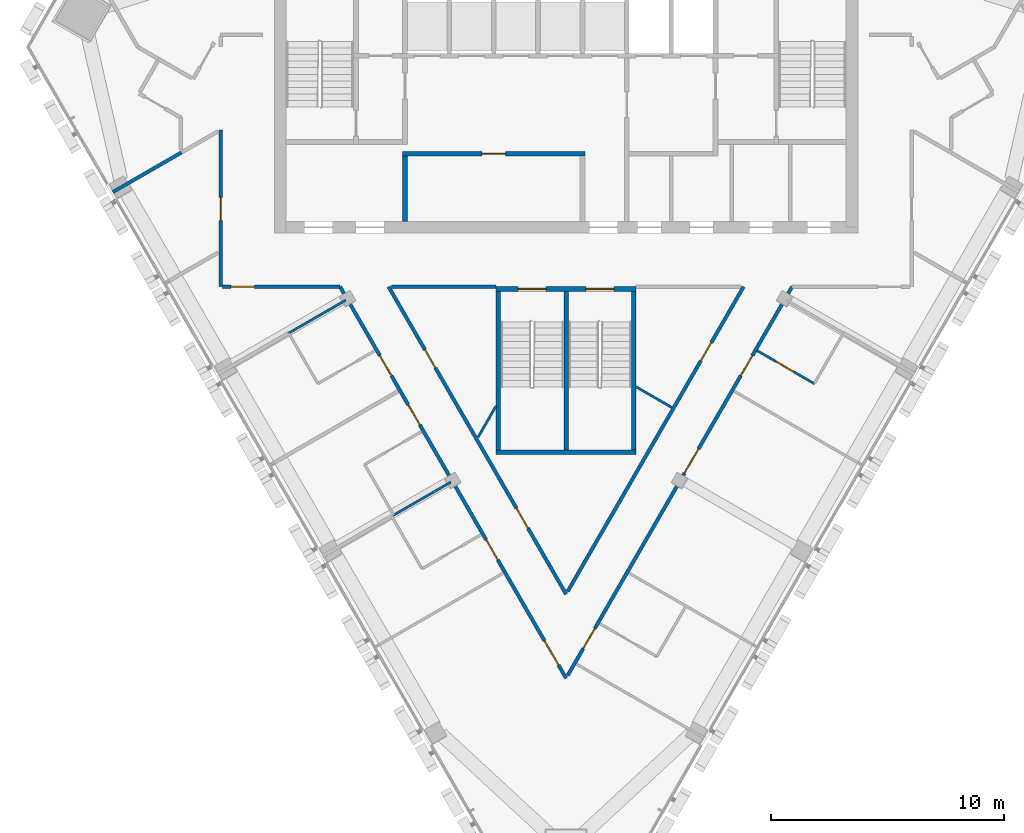
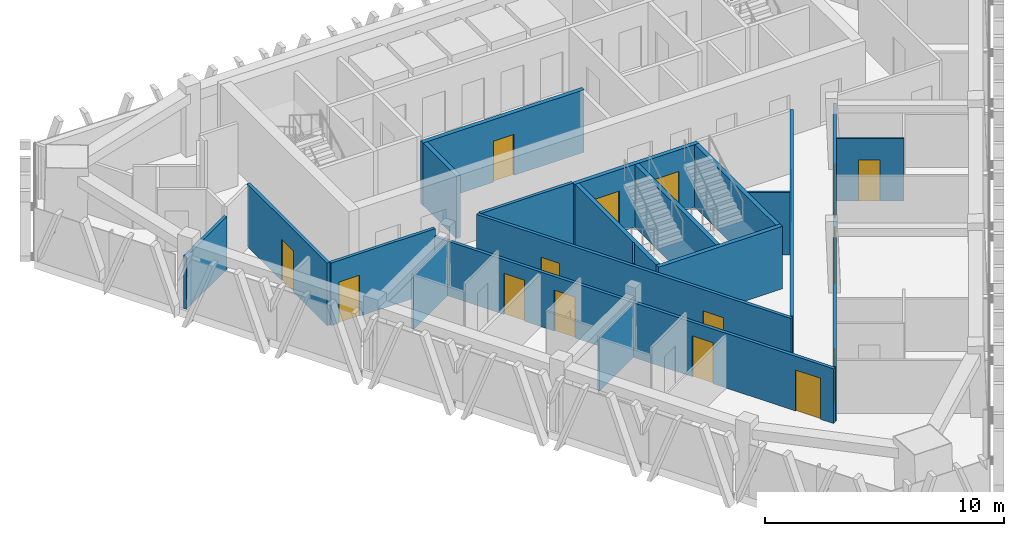
# One storey, part 8 of 14: 20 walls, 16 doors, 16 openings.
"""IFC4 building model written with IfcOpenShell, lengths in metres."""

from ifc_helpers import new_model, si_unit, direction, frame, frame_2d, origin, place, context, subcontext, project, spatial, rectangle, extrude, material, layer, layer_set, type_object, element, fill, save


model = new_model("IFC4")

# Units and contexts
model_context = context("Model", 3, precision=1e-05, world=origin(), true_north=direction((0.0, 1.0)))
body_context = subcontext(model_context, "Body", "Model", "MODEL_VIEW")
ifc_project = project(units=[si_unit("LENGTHUNIT", "METRE"), si_unit("AREAUNIT", "SQUARE_METRE"), si_unit("VOLUMEUNIT", "CUBIC_METRE"), si_unit("PLANEANGLEUNIT", "RADIAN"), si_unit("MASSUNIT", "GRAM", prefix="KILO")], contexts=[model_context])

# Site, building, storey
site_placement = place(None, origin())
site = spatial("IfcSite", under=ifc_project, at=site_placement, CompositionType="ELEMENT")
building_placement = place(site_placement, origin())
building = spatial("IfcBuilding", under=site, at=building_placement, Name="Altiplano Prism Tower", CompositionType="ELEMENT")
storey_placement = place(building_placement, frame((0.0, 0.0, 271.60009765625)))
storey = spatial("IfcBuildingStorey", under=building, at=storey_placement, Name="L70", CompositionType="ELEMENT", Elevation=271.60009765625)

# Wall, opening, door
ifc_material_1 = material(Name="Plasterboard on steel stud", Category="steel")
ifc_layer_1 = layer(ifc_material_1, 0.10009765625)
ifc_layer_set_1 = layer_set([ifc_layer_1], Name="Plasterboard on steel stud")
wall_type_1 = type_object("IfcWallType", Name="Partition 100 unit", PredefinedType="PARTITIONING", material=ifc_layer_set_1)
wall_1_placement = place(storey_placement, frame((95.634033203125, 86.445556640625, 0.0), z_axis=(0.0, 0.0, 1.0), x_axis=(-0.866048868473, 0.499959355765, 0.0)))
wall_1 = element("IfcWall", 1, at=wall_1_placement, inside=storey, type_object=wall_type_1, Name="Partition P02 L70 052", PredefinedType="PARTITIONING", context=body_context, shape_type="SweptSolid", body=[
    extrude(rectangle(XDim=2.824951171875, YDim=0.10009765625, at=frame_2d((1.41259765625, 0.0))), origin(), (0.0, 0.0, 1.0), 3.199951171875),
])
opening_1_placement = place(wall_1_placement, frame((1.0, 0.0, 0.0)))
opening_1 = element("IfcOpeningElement", 2, at=opening_1_placement, cuts=wall_1, Name="Opening D2221", PredefinedType="OPENING", context=body_context, shape_type="SweptSolid", body=[
    extrude(rectangle(XDim=0.89990234375, YDim=2.10009765625, at=frame_2d((0.449951171875, 1.050048828125))), frame((0.0, 0.060546875, 0.0), z_axis=(0.0, -1.0, 0.0), x_axis=(1.0, 0.0, 0.0)), (0.0, 0.0, 1.0), 0.12109375),
])
ifc_material_2 = material(Name="Timber", Category="wood")
door_type_1 = type_object("IfcDoorType", Name="Ensuite door 900 x 2100", OperationType="NOTDEFINED", PredefinedType="NOTDEFINED", material=ifc_material_2)
door_1_placement = place(opening_1_placement, origin())
door_1 = element("IfcDoor", 3, at=door_1_placement, inside=storey, type_object=door_type_1, Name="Door D2221", OperationType="SINGLE_SWING_RIGHT", OverallHeight=2.10009765625, OverallWidth=0.89990234375, PredefinedType="NOTDEFINED", context=body_context, shape_type="SweptSolid", body=[
    extrude(rectangle(XDim=0.89990234375, YDim=2.10009765625, at=frame_2d((0.449951171875, 1.050048828125))), frame((0.0, 0.02490234375, 0.0), z_axis=(0.0, -1.0, 0.0), x_axis=(1.0, 0.0, 0.0)), (0.0, 0.0, 1.0), 0.050048828125),
])
fill(opening_1, door_1)

# Walls
ifc_layer_2 = layer(ifc_material_1, 0.10009765625)
ifc_layer_set_2 = layer_set([ifc_layer_2], Name="Plasterboard on steel stud")
wall_type_2 = type_object("IfcWallType", Name="Partition 100 wet", PredefinedType="PARTITIONING", material=ifc_layer_set_2)
wall_2_placement = place(storey_placement, frame((88.0, 86.308837890625, 0.0), z_axis=(0.0, 0.0, 1.0), x_axis=(0.866059102185, -0.499941628115, 0.0)))
element("IfcWall", 4, at=wall_2_placement, inside=storey, type_object=wall_type_2, Name="Partition P03 L70 027", PredefinedType="PARTITIONING", context=body_context, shape_type="SweptSolid", body=[
    extrude(rectangle(XDim=1.767822265625, YDim=0.10009765625, at=frame_2d((0.8837890625, 0.0))), origin(), (0.0, 0.0, 1.0), 3.199951171875),
])
wall_3_placement = place(storey_placement, frame((81.23046875, 84.15576171875, 0.0), z_axis=(0.0, 0.0, 1.0), x_axis=(0.500029135357, 0.866008581825, 0.0)))
element("IfcWall", 5, at=wall_3_placement, inside=storey, type_object=wall_type_2, Name="Partition P03 L70 028", PredefinedType="PARTITIONING", context=body_context, shape_type="SweptSolid", body=[
    extrude(rectangle(XDim=1.5390625, YDim=0.10009765625, at=frame_2d((0.76953125, 0.0))), origin(), (0.0, 0.0, 1.0), 3.199951171875),
])
wall_4_placement = place(storey_placement, frame((73.115966796875, 88.610595703125, 0.0), z_axis=(0.0, 0.0, 1.0), x_axis=(0.866048868473, 0.499959355765, 0.0)))
element("IfcWall", 6, at=wall_4_placement, inside=storey, type_object=wall_type_2, Name="Partition P03 L70 034", PredefinedType="PARTITIONING", context=body_context, shape_type="SweptSolid", body=[
    extrude(rectangle(XDim=2.824951171875, YDim=0.10009765625, at=frame_2d((1.41259765625, 0.0))), origin(), (0.0, 0.0, 1.0), 2.7998046875),
])
wall_5_placement = place(storey_placement, frame((77.5986328125, 80.806396484375, 0.0), z_axis=(0.0, 0.0, 1.0), x_axis=(0.866048401274, 0.499960165064, 0.0)))
element("IfcWall", 7, at=wall_5_placement, inside=storey, type_object=wall_type_2, Name="Partition P03 L70 042", PredefinedType="PARTITIONING", context=body_context, shape_type="SweptSolid", body=[
    extrude(rectangle(XDim=2.844970703125, YDim=0.10009765625, at=frame_2d((1.42236328125, 0.0))), origin(), (0.0, 0.0, 1.0), 2.7998046875),
])
ifc_layer_3 = layer(ifc_material_1, 0.14990234375)
ifc_layer_set_3 = layer_set([ifc_layer_3], Name="Plasterboard on steel stud")
wall_type_3 = type_object("IfcWallType", Name="Partition 150 corridor", PredefinedType="PARTITIONING", material=ifc_layer_set_3)
wall_6_placement = place(storey_placement, frame((77.5244140625, 90.599853515625, 0.0), z_axis=(0.0, 0.0, 1.0), x_axis=(0.99999998661, -0.000163648263, 0.0)))
element("IfcWall", 8, at=wall_6_placement, inside=storey, type_object=wall_type_3, Name="Partition P06 L70 002", PredefinedType="PARTITIONING", context=body_context, shape_type="SweptSolid", body=[
    extrude(rectangle(XDim=4.4755859375, YDim=0.14990234375, at=frame_2d((2.23779296875, 0.0))), origin(), (0.0, 0.0, 1.0), 3.199951171875),
])

# Wall, opening, door
wall_7_placement = place(storey_placement, frame((92.60546875, 90.60009765625, 0.0), z_axis=(0.0, 0.0, 1.0), x_axis=(-0.499993840102, -0.866028960174, 0.0)))
wall_7 = element("IfcWall", 9, at=wall_7_placement, inside=storey, type_object=wall_type_3, Name="Partition P06 L70 003", PredefinedType="PARTITIONING", context=body_context, shape_type="SweptSolid", body=[
    extrude(rectangle(XDim=15.081298828125, YDim=0.14990234375, at=frame_2d((7.54052734375, 0.0))), origin(), (0.0, 0.0, 1.0), 3.199951171875),
])
opening_2_placement = place(wall_7_placement, frame((2.76904296875, 0.0, 0.0)))
opening_2 = element("IfcOpeningElement", 10, at=opening_2_placement, cuts=wall_7, Name="Opening D2204", PredefinedType="OPENING", context=body_context, shape_type="SweptSolid", body=[
    extrude(rectangle(XDim=0.89990234375, YDim=2.10009765625, at=frame_2d((0.449951171875, 1.050048828125))), frame((0.0, 0.08544921875, 0.0), z_axis=(0.0, -1.0, 0.0), x_axis=(1.0, 0.0, 0.0)), (0.0, 0.0, 1.0), 0.1708984375),
])
door_type_2 = type_object("IfcDoorType", Name="Toilet door 900 x 2100", OperationType="NOTDEFINED", PredefinedType="NOTDEFINED", material=ifc_material_2)
door_2_placement = place(opening_2_placement, origin())
door_2 = element("IfcDoor", 11, at=door_2_placement, inside=storey, type_object=door_type_2, Name="Door D2204", OperationType="SINGLE_SWING_LEFT", OverallHeight=2.10009765625, OverallWidth=0.89990234375, PredefinedType="NOTDEFINED", context=body_context, shape_type="SweptSolid", body=[
    extrude(rectangle(XDim=0.89990234375, YDim=2.10009765625, at=frame_2d((0.449951171875, 1.050048828125))), frame((0.0, 0.02490234375, 0.0), z_axis=(0.0, -1.0, 0.0), x_axis=(1.0, 0.0, 0.0)), (0.0, 0.0, 1.0), 0.050048828125),
])
fill(opening_2, door_2)

# Wall, openings, doors
wall_8_placement = place(storey_placement, frame((85.0, 77.4267578125, 0.0), z_axis=(0.0, 0.0, 1.0), x_axis=(-0.499991985073, 0.866030031155, 0.0)))
wall_8 = element("IfcWall", 12, at=wall_8_placement, inside=storey, type_object=wall_type_3, Name="Partition P06 L70 004", PredefinedType="PARTITIONING", context=body_context, shape_type="SweptSolid", body=[
    extrude(rectangle(XDim=15.211181640625, YDim=0.14990234375, at=frame_2d((7.60546875, 0.0))), origin(), (0.0, 0.0, 1.0), 3.199951171875),
])
opening_3_placement = place(wall_8_placement, frame((11.198974609375, 0.0, 0.0)))
opening_3 = element("IfcOpeningElement", 13, at=opening_3_placement, cuts=wall_8, Name="Opening D2205", PredefinedType="OPENING", context=body_context, shape_type="SweptSolid", body=[
    extrude(rectangle(XDim=0.89990234375, YDim=2.10009765625, at=frame_2d((0.449951171875, 1.050048828125))), frame((0.0, 0.08544921875, 0.0), z_axis=(0.0, -1.0, 0.0), x_axis=(1.0, 0.0, 0.0)), (0.0, 0.0, 1.0), 0.1708984375),
])
opening_4_placement = place(wall_8_placement, frame((3.257080078125, 0.0, 0.0)))
opening_4 = element("IfcOpeningElement", 14, at=opening_4_placement, cuts=wall_8, Name="Opening D2206", PredefinedType="OPENING", context=body_context, shape_type="SweptSolid", body=[
    extrude(rectangle(XDim=1.0, YDim=2.10009765625, at=frame_2d((0.5, 1.050048828125))), frame((0.0, 0.08544921875, 0.0), z_axis=(0.0, -1.0, 0.0), x_axis=(1.0, 0.0, 0.0)), (0.0, 0.0, 1.0), 0.1708984375),
])
door_type_3 = type_object("IfcDoorType", Name="Store door 1000 x 2100", OperationType="NOTDEFINED", PredefinedType="NOTDEFINED", material=ifc_material_2)
door_3_placement = place(opening_4_placement, origin())
door_3 = element("IfcDoor", 15, at=door_3_placement, inside=storey, type_object=door_type_3, Name="Door D2206", OperationType="SINGLE_SWING_LEFT", OverallHeight=2.10009765625, OverallWidth=1.0, PredefinedType="NOTDEFINED", context=body_context, shape_type="SweptSolid", body=[
    extrude(rectangle(XDim=1.0, YDim=2.10009765625, at=frame_2d((0.5, 1.050048828125))), frame((0.0, 0.02490234375, 0.0), z_axis=(0.0, -1.0, 0.0), x_axis=(1.0, 0.0, 0.0)), (0.0, 0.0, 1.0), 0.050048828125),
])
fill(opening_4, door_3)
door_4_placement = place(opening_3_placement, origin())
door_4 = element("IfcDoor", 16, at=door_4_placement, inside=storey, type_object=door_type_2, Name="Door D2205", OperationType="SINGLE_SWING_RIGHT", OverallHeight=2.10009765625, OverallWidth=0.89990234375, PredefinedType="NOTDEFINED", context=body_context, shape_type="SweptSolid", body=[
    extrude(rectangle(XDim=0.89990234375, YDim=2.10009765625, at=frame_2d((0.449951171875, 1.050048828125))), frame((0.0, 0.02490234375, 0.0), z_axis=(0.0, -1.0, 0.0), x_axis=(1.0, 0.0, 0.0)), (0.0, 0.0, 1.0), 0.050048828125),
])
fill(opening_3, door_4)

# Wall, opening, door
wall_9_placement = place(storey_placement, frame((70.199951171875, 97.3193359375, 0.0), z_axis=(0.0, 0.0, 1.0), x_axis=(0.0, -1.0, 0.0)))
wall_9 = element("IfcWall", 17, at=wall_9_placement, inside=storey, type_object=wall_type_3, Name="Partition P06 L70 009", PredefinedType="PARTITIONING", context=body_context, shape_type="SweptSolid", body=[
    extrude(rectangle(XDim=6.71923828125, YDim=0.14990234375, at=frame_2d((3.359619140625, 0.0))), origin(), (0.0, 0.0, 1.0), 3.199951171875),
])
opening_5_placement = place(wall_9_placement, frame((2.89208984375, 0.0, 0.0)))
opening_5 = element("IfcOpeningElement", 18, at=opening_5_placement, cuts=wall_9, Name="Opening D2208", PredefinedType="OPENING", context=body_context, shape_type="SweptSolid", body=[
    extrude(rectangle(XDim=1.0, YDim=2.10009765625, at=frame_2d((0.5, 1.050048828125))), frame((0.0, 0.08544921875, 0.0), z_axis=(0.0, -1.0, 0.0), x_axis=(1.0, 0.0, 0.0)), (0.0, 0.0, 1.0), 0.1708984375),
])
door_type_4 = type_object("IfcDoorType", Name="Room door 1000 x 2100", OperationType="NOTDEFINED", PredefinedType="NOTDEFINED", material=ifc_material_2)
door_5_placement = place(opening_5_placement, origin())
door_5 = element("IfcDoor", 19, at=door_5_placement, inside=storey, type_object=door_type_4, Name="Door D2208", OperationType="SINGLE_SWING_RIGHT", OverallHeight=2.10009765625, OverallWidth=1.0, PredefinedType="NOTDEFINED", context=body_context, shape_type="SweptSolid", body=[
    extrude(rectangle(XDim=1.0, YDim=2.10009765625, at=frame_2d((0.5, 1.050048828125))), frame((0.0, 0.02490234375, 0.0), z_axis=(0.0, -1.0, 0.0), x_axis=(1.0, 0.0, 0.0)), (0.0, 0.0, 1.0), 0.050048828125),
])
fill(opening_5, door_5)

wall_10_placement = place(storey_placement, frame((70.27490234375, 90.60009765625, 0.0), z_axis=(0.0, 0.0, 1.0), x_axis=(1.0, 0.0, 0.0)))
wall_10 = element("IfcWall", 20, at=wall_10_placement, inside=storey, type_object=wall_type_3, Name="Partition P06 L70 010", PredefinedType="PARTITIONING", context=body_context, shape_type="SweptSolid", body=[
    extrude(rectangle(XDim=5.041015625, YDim=0.14990234375, at=frame_2d((2.5205078125, 0.0))), origin(), (0.0, 0.0, 1.0), 3.199951171875),
])
opening_6_placement = place(wall_10_placement, frame((0.368896484375, 0.0, 0.0)))
opening_6 = element("IfcOpeningElement", 21, at=opening_6_placement, cuts=wall_10, Name="Opening D2209", PredefinedType="OPENING", context=body_context, shape_type="SweptSolid", body=[
    extrude(rectangle(XDim=1.0, YDim=2.10009765625, at=frame_2d((0.5, 1.050048828125))), frame((0.0, 0.08544921875, 0.0), z_axis=(0.0, -1.0, 0.0), x_axis=(1.0, 0.0, 0.0)), (0.0, 0.0, 1.0), 0.1708984375),
])
door_6_placement = place(opening_6_placement, origin())
door_6 = element("IfcDoor", 22, at=door_6_placement, inside=storey, type_object=door_type_4, Name="Door D2209", OperationType="SINGLE_SWING_LEFT", OverallHeight=2.10009765625, OverallWidth=1.0, PredefinedType="NOTDEFINED", context=body_context, shape_type="SweptSolid", body=[
    extrude(rectangle(XDim=1.0, YDim=2.10009765625, at=frame_2d((0.5, 1.050048828125))), frame((0.0, 0.02490234375, 0.0), z_axis=(0.0, -1.0, 0.0), x_axis=(1.0, 0.0, 0.0)), (0.0, 0.0, 1.0), 0.050048828125),
])
fill(opening_6, door_6)

# Wall, openings, doors
wall_11_placement = place(storey_placement, frame((75.31591796875, 90.60009765625, 0.0), z_axis=(0.0, 0.0, 1.0), x_axis=(0.500002878321, -0.866023741978, 0.0)))
wall_11 = element("IfcWall", 23, at=wall_11_placement, inside=storey, type_object=wall_type_3, Name="Partition P06 L70 011", PredefinedType="PARTITIONING", context=body_context, shape_type="SweptSolid", body=[
    extrude(rectangle(XDim=19.3681640625, YDim=0.14990234375, at=frame_2d((9.68408203125, 0.0))), origin(), (0.0, 0.0, 1.0), 2.7998046875),
])
opening_7_placement = place(wall_11_placement, frame((3.402099609375, 0.0, 0.0)))
opening_7 = element("IfcOpeningElement", 24, at=opening_7_placement, cuts=wall_11, Name="Opening D2210", PredefinedType="OPENING", context=body_context, shape_type="SweptSolid", body=[
    extrude(rectangle(XDim=1.0, YDim=2.10009765625, at=frame_2d((0.5, 1.050048828125))), frame((0.0, 0.08544921875, 0.0), z_axis=(0.0, -1.0, 0.0), x_axis=(1.0, 0.0, 0.0)), (0.0, 0.0, 1.0), 0.1708984375),
])
opening_8_placement = place(wall_11_placement, frame((5.843017578125, 0.0, 0.0)))
opening_8 = element("IfcOpeningElement", 25, at=opening_8_placement, cuts=wall_11, Name="Opening D2212", PredefinedType="OPENING", context=body_context, shape_type="SweptSolid", body=[
    extrude(rectangle(XDim=1.0, YDim=2.10009765625, at=frame_2d((0.5, 1.050048828125))), frame((0.0, 0.08544921875, 0.0), z_axis=(0.0, -1.0, 0.0), x_axis=(1.0, 0.0, 0.0)), (0.0, 0.0, 1.0), 0.1708984375),
])
opening_9_placement = place(wall_11_placement, frame((12.51806640625, 0.0, 0.0)))
opening_9 = element("IfcOpeningElement", 26, at=opening_9_placement, cuts=wall_11, Name="Opening D2214", PredefinedType="OPENING", context=body_context, shape_type="SweptSolid", body=[
    extrude(rectangle(XDim=1.0, YDim=2.10009765625, at=frame_2d((0.5, 1.050048828125))), frame((0.0, 0.08544921875, 0.0), z_axis=(0.0, -1.0, 0.0), x_axis=(1.0, 0.0, 0.0)), (0.0, 0.0, 1.0), 0.1708984375),
])
opening_10_placement = place(wall_11_placement, frame((17.52001953125, 0.0, 0.0)))
opening_10 = element("IfcOpeningElement", 27, at=opening_10_placement, cuts=wall_11, Name="Opening D2216", PredefinedType="OPENING", context=body_context, shape_type="SweptSolid", body=[
    extrude(rectangle(XDim=1.199951171875, YDim=2.10009765625, at=frame_2d((0.60009765625, 1.050048828125))), frame((0.0, 0.08544921875, 0.0), z_axis=(0.0, -1.0, 0.0), x_axis=(1.0, 0.0, 0.0)), (0.0, 0.0, 1.0), 0.1708984375),
])
door_type_5 = type_object("IfcDoorType", Name="Bedroom entrance door 1000 x 2100", OperationType="NOTDEFINED", PredefinedType="NOTDEFINED", material=ifc_material_2)
door_7_placement = place(opening_7_placement, origin())
door_7 = element("IfcDoor", 28, at=door_7_placement, inside=storey, type_object=door_type_5, Name="Door D2210", OperationType="SINGLE_SWING_LEFT", OverallHeight=2.10009765625, OverallWidth=1.0, PredefinedType="NOTDEFINED", context=body_context, shape_type="SweptSolid", body=[
    extrude(rectangle(XDim=1.0, YDim=2.10009765625, at=frame_2d((0.5, 1.050048828125))), frame((0.0, 0.02490234375, 0.0), z_axis=(0.0, -1.0, 0.0), x_axis=(1.0, 0.0, 0.0)), (0.0, 0.0, 1.0), 0.050048828125),
])
fill(opening_7, door_7)
door_8_placement = place(opening_8_placement, origin())
door_8 = element("IfcDoor", 29, at=door_8_placement, inside=storey, type_object=door_type_5, Name="Door D2212", OperationType="SINGLE_SWING_RIGHT", OverallHeight=2.10009765625, OverallWidth=1.0, PredefinedType="NOTDEFINED", context=body_context, shape_type="SweptSolid", body=[
    extrude(rectangle(XDim=1.0, YDim=2.10009765625, at=frame_2d((0.5, 1.050048828125))), frame((0.0, 0.02490234375, 0.0), z_axis=(0.0, -1.0, 0.0), x_axis=(1.0, 0.0, 0.0)), (0.0, 0.0, 1.0), 0.050048828125),
])
fill(opening_8, door_8)
door_9_placement = place(opening_9_placement, origin())
door_9 = element("IfcDoor", 30, at=door_9_placement, inside=storey, type_object=door_type_5, Name="Door D2214", OperationType="SINGLE_SWING_RIGHT", OverallHeight=2.10009765625, OverallWidth=1.0, PredefinedType="NOTDEFINED", context=body_context, shape_type="SweptSolid", body=[
    extrude(rectangle(XDim=1.0, YDim=2.10009765625, at=frame_2d((0.5, 1.050048828125))), frame((0.0, 0.02490234375, 0.0), z_axis=(0.0, -1.0, 0.0), x_axis=(1.0, 0.0, 0.0)), (0.0, 0.0, 1.0), 0.050048828125),
])
fill(opening_9, door_9)
door_type_6 = type_object("IfcDoorType", Name="Shared room door 1200 x 2100", OperationType="NOTDEFINED", PredefinedType="NOTDEFINED", material=ifc_material_2)
door_10_placement = place(opening_10_placement, origin())
door_10 = element("IfcDoor", 31, at=door_10_placement, inside=storey, type_object=door_type_6, Name="Door D2216", OperationType="SINGLE_SWING_RIGHT", OverallHeight=2.10009765625, OverallWidth=1.199951171875, PredefinedType="NOTDEFINED", context=body_context, shape_type="SweptSolid", body=[
    extrude(rectangle(XDim=1.199951171875, YDim=2.10009765625, at=frame_2d((0.60009765625, 1.050048828125))), frame((0.0, 0.02490234375, 0.0), z_axis=(0.0, -1.0, 0.0), x_axis=(1.0, 0.0, 0.0)), (0.0, 0.0, 1.0), 0.050048828125),
])
fill(opening_10, door_10)

wall_12_placement = place(storey_placement, frame((85.06494140625, 73.939453125, 0.0), z_axis=(0.0, 0.0, 1.0), x_axis=(0.500004406092, 0.866022859911, 0.0)))
wall_12 = element("IfcWall", 32, at=wall_12_placement, inside=storey, type_object=wall_type_3, Name="Partition P06 L70 012", PredefinedType="PARTITIONING", context=body_context, shape_type="SweptSolid", body=[
    extrude(rectangle(XDim=19.238037109375, YDim=0.14990234375, at=frame_2d((9.619140625, 0.0))), origin(), (0.0, 0.0, 1.0), 2.7998046875),
])
opening_11_placement = place(wall_12_placement, frame((1.3359375, 0.0, 0.0)))
opening_11 = element("IfcOpeningElement", 33, at=opening_11_placement, cuts=wall_12, Name="Opening D2217", PredefinedType="OPENING", context=body_context, shape_type="SweptSolid", body=[
    extrude(rectangle(XDim=1.0, YDim=2.10009765625, at=frame_2d((0.5, 1.050048828125))), frame((0.0, 0.08544921875, 0.0), z_axis=(0.0, -1.0, 0.0), x_axis=(1.0, 0.0, 0.0)), (0.0, 0.0, 1.0), 0.1708984375),
])
opening_12_placement = place(wall_12_placement, frame((10.014892578125, 0.0, 0.0)))
opening_12 = element("IfcOpeningElement", 34, at=opening_12_placement, cuts=wall_12, Name="Opening D2219", PredefinedType="OPENING", context=body_context, shape_type="SweptSolid", body=[
    extrude(rectangle(XDim=1.199951171875, YDim=2.10009765625, at=frame_2d((0.60009765625, 1.050048828125))), frame((0.0, 0.08544921875, 0.0), z_axis=(0.0, -1.0, 0.0), x_axis=(1.0, 0.0, 0.0)), (0.0, 0.0, 1.0), 0.1708984375),
])
opening_13_placement = place(wall_12_placement, frame((14.8359375, 0.0, 0.0)))
opening_13 = element("IfcOpeningElement", 35, at=opening_13_placement, cuts=wall_12, Name="Opening D2220", PredefinedType="OPENING", context=body_context, shape_type="SweptSolid", body=[
    extrude(rectangle(XDim=1.0, YDim=2.10009765625, at=frame_2d((0.5, 1.050048828125))), frame((0.0, 0.08544921875, 0.0), z_axis=(0.0, -1.0, 0.0), x_axis=(1.0, 0.0, 0.0)), (0.0, 0.0, 1.0), 0.1708984375),
])
door_11_placement = place(opening_11_placement, origin())
door_11 = element("IfcDoor", 36, at=door_11_placement, inside=storey, type_object=door_type_5, Name="Door D2217", OperationType="SINGLE_SWING_LEFT", OverallHeight=2.10009765625, OverallWidth=1.0, PredefinedType="NOTDEFINED", context=body_context, shape_type="SweptSolid", body=[
    extrude(rectangle(XDim=1.0, YDim=2.10009765625, at=frame_2d((0.5, 1.050048828125))), frame((0.0, 0.02490234375, 0.0), z_axis=(0.0, -1.0, 0.0), x_axis=(1.0, 0.0, 0.0)), (0.0, 0.0, 1.0), 0.050048828125),
])
fill(opening_11, door_11)
door_12_placement = place(opening_13_placement, origin())
door_12 = element("IfcDoor", 37, at=door_12_placement, inside=storey, type_object=door_type_5, Name="Door D2220", OperationType="SINGLE_SWING_LEFT", OverallHeight=2.10009765625, OverallWidth=1.0, PredefinedType="NOTDEFINED", context=body_context, shape_type="SweptSolid", body=[
    extrude(rectangle(XDim=1.0, YDim=2.10009765625, at=frame_2d((0.5, 1.050048828125))), frame((0.0, 0.02490234375, 0.0), z_axis=(0.0, -1.0, 0.0), x_axis=(1.0, 0.0, 0.0)), (0.0, 0.0, 1.0), 0.050048828125),
])
fill(opening_13, door_12)
door_13_placement = place(opening_12_placement, origin())
door_13 = element("IfcDoor", 38, at=door_13_placement, inside=storey, type_object=door_type_6, Name="Door D2219", OperationType="SINGLE_SWING_RIGHT", OverallHeight=2.10009765625, OverallWidth=1.199951171875, PredefinedType="NOTDEFINED", context=body_context, shape_type="SweptSolid", body=[
    extrude(rectangle(XDim=1.199951171875, YDim=2.10009765625, at=frame_2d((0.60009765625, 1.050048828125))), frame((0.0, 0.02490234375, 0.0), z_axis=(0.0, -1.0, 0.0), x_axis=(1.0, 0.0, 0.0)), (0.0, 0.0, 1.0), 0.050048828125),
])
fill(opening_12, door_13)

# Wall
ifc_layer_4 = layer(ifc_material_1, 0.14990234375)
ifc_layer_set_4 = layer_set([ifc_layer_4], Name="Plasterboard on steel stud")
wall_type_4 = type_object("IfcWallType", Name="Partition 150 party", PredefinedType="PARTITIONING", material=ifc_layer_set_4)
wall_13_placement = place(storey_placement, frame((65.5849609375, 94.65478515625, 0.0), z_axis=(0.0, 0.0, 1.0), x_axis=(0.866022438472, 0.500005136037, 0.0)))
element("IfcWall", 39, at=wall_13_placement, inside=storey, type_object=wall_type_4, Name="Partition P01 L70 029", PredefinedType="PARTITIONING", context=body_context, shape_type="SweptSolid", body=[
    extrude(rectangle(XDim=3.38916015625, YDim=0.14990234375, at=frame_2d((1.694580078125, 0.0))), origin(), (0.0, 0.0, 1.0), 2.699951171875),
])

# Wall, openings, doors
ifc_material_3 = material(Name="Concrete C60/75", Category="concrete")
ifc_layer_5 = layer(ifc_material_3, 0.199951171875)
ifc_layer_set_5 = layer_set([ifc_layer_5], Name="Concrete C60/75")
wall_type_5 = type_object("IfcWallType", Name="Stair wall 200", PredefinedType="SOLIDWALL", material=ifc_layer_set_5)
wall_14_placement = place(storey_placement, frame((82.0, 90.5, 0.0), z_axis=(0.0, 0.0, 1.0), x_axis=(1.0, 0.0, 0.0)))
wall_14 = element("IfcWall", 40, at=wall_14_placement, inside=storey, type_object=wall_type_5, Name="Stair 3 wall north L70", PredefinedType="SOLIDWALL", context=body_context, shape_type="SweptSolid", body=[
    extrude(rectangle(XDim=6.0, YDim=0.199951171875, at=frame_2d((3.0, 0.0))), origin(), (0.0, 0.0, 1.0), 3.199951171875),
])
opening_14_placement = place(wall_14_placement, frame((0.949951171875, 0.0, 0.0)))
opening_14 = element("IfcOpeningElement", 41, at=opening_14_placement, cuts=wall_14, Name="Opening D4062", PredefinedType="OPENING", context=body_context, shape_type="SweptSolid", body=[
    extrude(rectangle(XDim=1.199951171875, YDim=2.10009765625, at=frame_2d((0.60009765625, 1.050048828125))), frame((0.0, 0.1103515625, 0.0), z_axis=(0.0, -1.0, 0.0), x_axis=(1.0, 0.0, 0.0)), (0.0, 0.0, 1.0), 0.220947265625),
])
opening_15_placement = place(wall_14_placement, frame((3.85009765625, 0.0, 0.0)))
opening_15 = element("IfcOpeningElement", 42, at=opening_15_placement, cuts=wall_14, Name="Opening D4063", PredefinedType="OPENING", context=body_context, shape_type="SweptSolid", body=[
    extrude(rectangle(XDim=1.199951171875, YDim=2.10009765625, at=frame_2d((0.60009765625, 1.050048828125))), frame((0.0, 0.1103515625, 0.0), z_axis=(0.0, -1.0, 0.0), x_axis=(1.0, 0.0, 0.0)), (0.0, 0.0, 1.0), 0.220947265625),
])
ifc_material_4 = material(Name="Fire-rated steel door", Category="steel")
door_type_7 = type_object("IfcDoorType", Name="Stair fire door 1200 x 2100", OperationType="NOTDEFINED", PredefinedType="NOTDEFINED", material=ifc_material_4)
door_14_placement = place(opening_14_placement, origin())
door_14 = element("IfcDoor", 43, at=door_14_placement, inside=storey, type_object=door_type_7, Name="Stair fire door D4062", OperationType="SINGLE_SWING_LEFT", OverallHeight=2.10009765625, OverallWidth=1.199951171875, PredefinedType="NOTDEFINED", context=body_context, shape_type="SweptSolid", body=[
    extrude(rectangle(XDim=1.199951171875, YDim=2.10009765625, at=frame_2d((0.60009765625, 1.050048828125))), frame((0.0, 0.02490234375, 0.0), z_axis=(0.0, -1.0, 0.0), x_axis=(1.0, 0.0, 0.0)), (0.0, 0.0, 1.0), 0.050048828125),
])
fill(opening_14, door_14)
door_15_placement = place(opening_15_placement, origin())
door_15 = element("IfcDoor", 44, at=door_15_placement, inside=storey, type_object=door_type_7, Name="Stair fire door D4063", OperationType="SINGLE_SWING_LEFT", OverallHeight=2.10009765625, OverallWidth=1.199951171875, PredefinedType="NOTDEFINED", context=body_context, shape_type="SweptSolid", body=[
    extrude(rectangle(XDim=1.199951171875, YDim=2.10009765625, at=frame_2d((0.60009765625, 1.050048828125))), frame((0.0, 0.02490234375, 0.0), z_axis=(0.0, -1.0, 0.0), x_axis=(1.0, 0.0, 0.0)), (0.0, 0.0, 1.0), 0.050048828125),
])
fill(opening_15, door_15)

# Walls
wall_15_placement = place(storey_placement, frame((82.0, 83.5, 0.0), z_axis=(0.0, 0.0, 1.0), x_axis=(1.0, 0.0, 0.0)))
element("IfcWall", 45, at=wall_15_placement, inside=storey, type_object=wall_type_5, Name="Stair 3 wall south L70", PredefinedType="SOLIDWALL", context=body_context, shape_type="SweptSolid", body=[
    extrude(rectangle(XDim=6.0, YDim=0.199951171875, at=frame_2d((3.0, 0.0))), origin(), (0.0, 0.0, 1.0), 3.199951171875),
])
for number, where, z_axis, x_axis, name in (
    (46, (82.10009765625, 83.60009765625, 0.0), (0.0, 0.0, 1.0), (0.0, 1.0, 0.0), "Stair 3 wall west L70"),
    (47, (87.89990234375, 83.60009765625, 0.0), (0.0, 0.0, 1.0), (0.0, 1.0, 0.0), "Stair 3 wall east L70"),
    (48, (85.0, 83.60009765625, 0.0), (0.0, 0.0, 1.0), (0.0, 1.0, 0.0), "Stair 3 wall divider L70"),
):
    element("IfcWall", number, at=place(storey_placement, frame(where, z_axis=z_axis, x_axis=x_axis)), inside=storey, type_object=wall_type_5, Name=name, PredefinedType="SOLIDWALL", context=body_context, shape_type="SweptSolid", body=[
        extrude(rectangle(XDim=6.7998046875, YDim=0.199951171875, at=frame_2d((3.39990234375, 0.0))), origin(), (0.0, 0.0, 1.0), 3.199951171875),
    ])
ifc_layer_6 = layer(ifc_material_3, 0.199951171875)
ifc_layer_set_6 = layer_set([ifc_layer_6], Name="Concrete C60/75")
wall_type_6 = type_object("IfcWallType", Name="Vestibule wall 200", PredefinedType="PARTITIONING", material=ifc_layer_set_6)
wall_16_placement = place(storey_placement, frame((78.10009765625, 93.39990234375, 0.0), z_axis=(0.0, 0.0, 1.0), x_axis=(0.0, 1.0, 0.0)))
element("IfcWall", 49, at=wall_16_placement, inside=storey, type_object=wall_type_6, Name="Vestibule wall L70", PredefinedType="PARTITIONING", context=body_context, shape_type="SweptSolid", body=[
    extrude(rectangle(XDim=2.800048828125, YDim=0.199951171875, at=frame_2d((1.39990234375, 0.0))), origin(), (0.0, 0.0, 1.0), 3.199951171875),
])

# Wall, opening, door
wall_17_placement = place(storey_placement, frame((78.0, 96.300048828125, 0.0), z_axis=(0.0, 0.0, 1.0), x_axis=(1.0, 0.0, 0.0)))
wall_17 = element("IfcWall", 50, at=wall_17_placement, inside=storey, type_object=wall_type_6, Name="Vestibule wall L70", PredefinedType="PARTITIONING", context=body_context, shape_type="SweptSolid", body=[
    extrude(rectangle(XDim=7.800048828125, YDim=0.199951171875, at=frame_2d((3.89990234375, 0.0))), origin(), (0.0, 0.0, 1.0), 3.199951171875),
])
opening_16_placement = place(wall_17_placement, frame((3.39990234375, 0.0, 0.0)))
opening_16 = element("IfcOpeningElement", 51, at=opening_16_placement, cuts=wall_17, Name="Opening D3576", PredefinedType="OPENING", context=body_context, shape_type="SweptSolid", body=[
    extrude(rectangle(XDim=1.0, YDim=2.10009765625, at=frame_2d((0.5, 1.050048828125))), frame((0.0, 0.1103515625, 0.0), z_axis=(0.0, -1.0, 0.0), x_axis=(1.0, 0.0, 0.0)), (0.0, 0.0, 1.0), 0.220947265625),
])
door_type_8 = type_object("IfcDoorType", Name="Core room door 1000 x 2100", OperationType="NOTDEFINED", PredefinedType="NOTDEFINED", material=ifc_material_4)
door_16_placement = place(opening_16_placement, origin())
door_16 = element("IfcDoor", 52, at=door_16_placement, inside=storey, type_object=door_type_8, Name="Core room door D3576", OperationType="SINGLE_SWING_RIGHT", OverallHeight=2.10009765625, OverallWidth=1.0, PredefinedType="NOTDEFINED", context=body_context, shape_type="SweptSolid", body=[
    extrude(rectangle(XDim=1.0, YDim=2.10009765625, at=frame_2d((0.5, 1.050048828125))), frame((0.0, 0.02490234375, 0.0), z_axis=(0.0, -1.0, 0.0), x_axis=(1.0, 0.0, 0.0)), (0.0, 0.0, 1.0), 0.050048828125),
])
fill(opening_16, door_16)

save(model, "model.ifc")
